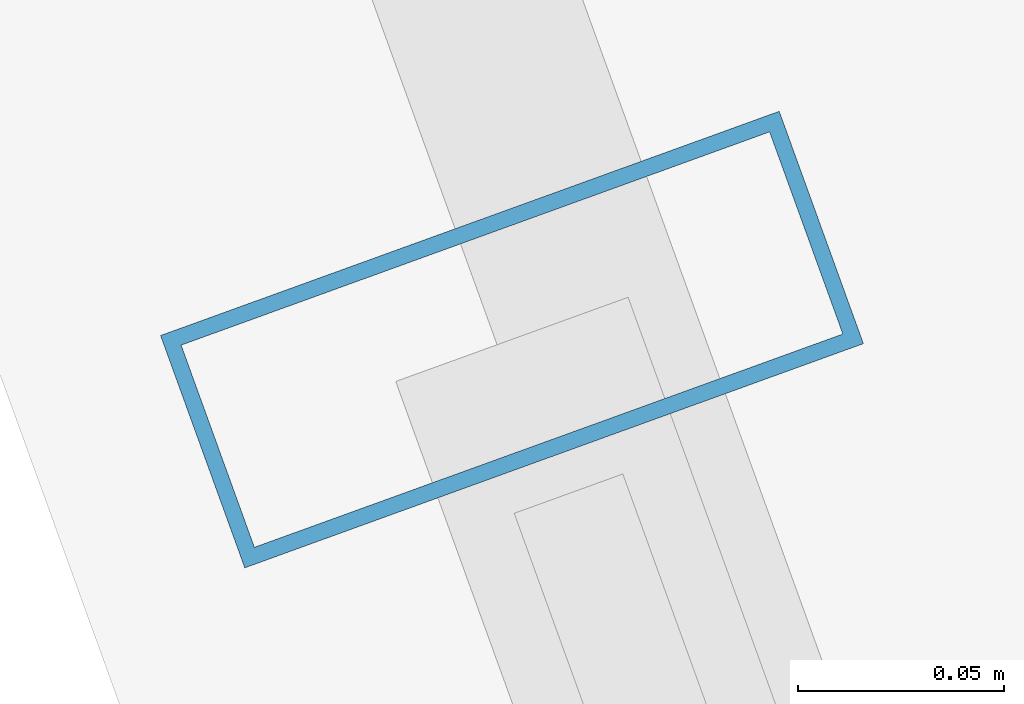
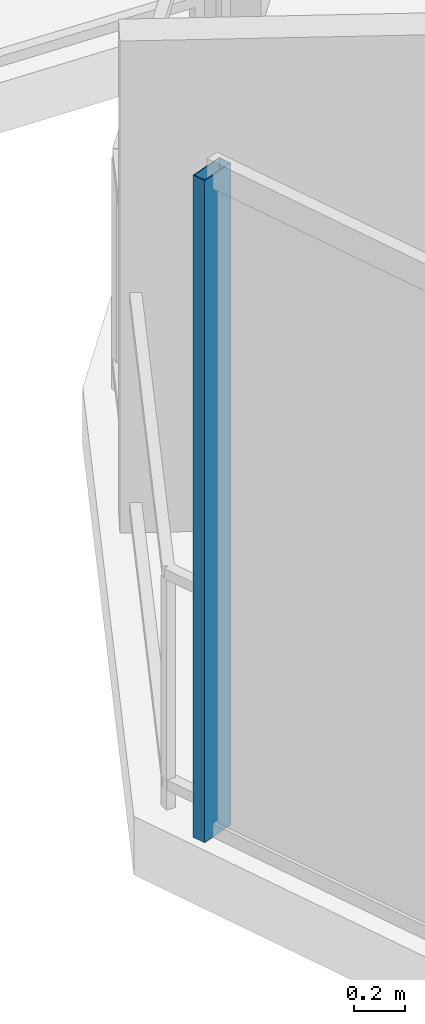
# One storey, part 17 of 33: 1 member, 1 element without a shape of its own.
"""IFC4 building model written with IfcOpenShell, lengths in metres."""

from ifc_helpers import new_model, si_unit, direction, frame, origin, origin_2d, place, context, subcontext, project, spatial, hollow_rectangle, extrude, material, layer, layer_set, material_profile, profile_set, type_object, element, aggregate, save


model = new_model("IFC4")

# Units and contexts
model_context = context("Model", 3, precision=1e-05, world=origin(), true_north=direction((0.0, 1.0)))
body_context = subcontext(model_context, "Body", "Model", "MODEL_VIEW")
ifc_project = project(units=[si_unit("LENGTHUNIT", "METRE"), si_unit("AREAUNIT", "SQUARE_METRE"), si_unit("VOLUMEUNIT", "CUBIC_METRE"), si_unit("PLANEANGLEUNIT", "RADIAN"), si_unit("MASSUNIT", "GRAM", prefix="KILO")], contexts=[model_context])

# Site, building, storey
site_placement = place(None, origin())
site = spatial("IfcSite", under=ifc_project, at=site_placement, CompositionType="ELEMENT")
building_placement = place(site_placement, origin())
building = spatial("IfcBuilding", under=site, at=building_placement, Name="Qarnah Convention Tower", CompositionType="ELEMENT")
storey_placement = place(building_placement, frame((0.0, 0.0, 30.449951171875)))
storey = spatial("IfcBuildingStorey", under=building, at=storey_placement, Name="L06", CompositionType="ELEMENT", Elevation=30.449951171875)

# Curtain wall, member
ifc_material_1 = material(Name="Tempered Low-E dark glass", Category="glass")
ifc_layer = layer(ifc_material_1, 0.16796875)
ifc_layer_set = layer_set([ifc_layer], Name="Tempered Low-E dark glass")
curtain_wall_type = type_object("IfcCurtainWallType", Name="CWS-01", PredefinedType="NOTDEFINED", material=ifc_layer_set)
curtain_wall_placement = place(storey_placement, origin())
curtain_wall = element("IfcCurtainWall", 1, at=curtain_wall_placement, inside=storey, type_object=curtain_wall_type, Name="L06 unitised curtain wall CW-L06-F2", PredefinedType="NOTDEFINED")
ifc_material_2 = material(Name="Black anodised aluminium", Category="aluminium")
ifc_material_profile = material_profile(ifc_material_2, hollow_rectangle(XDim=0.06005859375, YDim=0.159912109375, WallThickness=0.00390625, at=origin_2d()), Name="MUL-60X160")
ifc_profile_set = profile_set([ifc_material_profile], Name="Black anodised aluminium")
member_type = type_object("IfcMemberType", Name="MUL-T1", PredefinedType="MULLION", material=ifc_profile_set)
member_placement = place(storey_placement, frame((14.264892578125, 36.178955078125, 0.0), z_axis=(0.0, 0.0, 1.0), x_axis=(-0.340727130958, 0.940162231867, 0.0)))
member = element("IfcMember", 2, at=member_placement, type_object=member_type, Name="CW-L06-F2 mullion 6", PredefinedType="MULLION", context=body_context, shape_type="SweptSolid", body=[
    extrude(hollow_rectangle(XDim=0.06005859375, YDim=0.159912109375, WallThickness=0.00390625, at=origin_2d()), origin(), (0.0, 0.0, 1.0), 3.170166015625),
])
aggregate(curtain_wall, [member])

save(model, "model.ifc")
